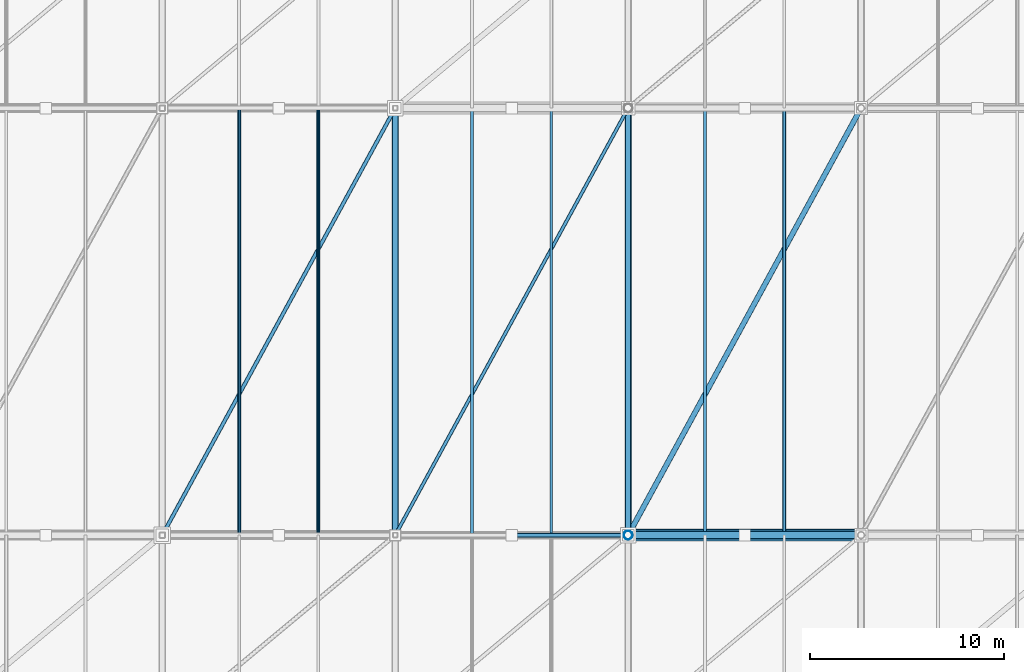
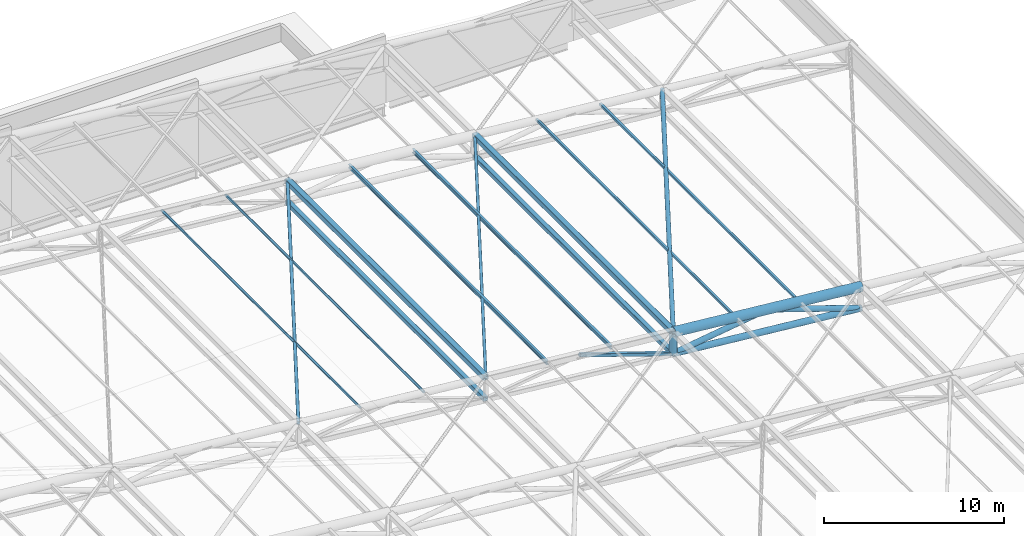
# One storey, part 35 of 44: 19 members.
"""IFC4 building model written with IfcOpenShell, lengths in metres."""

import ifcopenshell
import ifcopenshell.guid

model = None  # the IFC model being written
_history = None  # IfcOwnerHistory: only IFC2X3 demands one
_inside = {}  # id of a spatial element -> (the spatial element, [elements in it])
_under = {}  # id of a project, library or spatial element -> (it, [spatial elements below it])
_declared = {}  # id of a project -> (the project, [libraries it declares])
_typed = {}  # id of a type object -> (the type object, [elements of that type])
_made_of = {}  # id of a material, layer set ... -> (it, [elements and type objects made of it])


def new_model(schema):
    """Start an empty IFC model of exactly this schema.

    Asked for "IFC4X3", IfcOpenShell would pick the latest addendum, in which some entities
    have other attributes; the version numbers below select the first issue.
    IFC2X3 requires an IfcOwnerHistory on every rooted entity: one is made here for all.
    """
    global model, _history
    if schema == "IFC4X3":
        model = ifcopenshell.file(schema_version=(4, 3, 0, 0))
    else:
        model = ifcopenshell.file(schema=schema)
    _inside.clear()
    _under.clear()
    _declared.clear()
    _typed.clear()
    _made_of.clear()
    _history = None
    if model.schema == "IFC2X3":
        org = make("IfcOrganization", Name="unknown")
        user = make(
            "IfcPersonAndOrganization",
            ThePerson=make("IfcPerson", FamilyName="unknown"),
            TheOrganization=org,
        )
        app = make(
            "IfcApplication",
            ApplicationDeveloper=org,
            Version="unknown",
            ApplicationFullName="unknown",
            ApplicationIdentifier="unknown",
        )
        _history = make(
            "IfcOwnerHistory",
            OwningUser=user,
            OwningApplication=app,
            ChangeAction="ADDED",
            CreationDate=0,
        )
    return model


def make(cls, **values):
    """One entity of the class cls with the attributes given. An attribute that is None is left unset."""
    return model.create_entity(
        cls, **{name: value for name, value in values.items() if value is not None}
    )


def rooted(cls, **values):
    """An entity with a GlobalId (a new one), such as an element, a storey or a relation."""
    return make(cls, GlobalId=ifcopenshell.guid.new(), OwnerHistory=_history, **values)


def si_unit(unit_type, name, prefix=None):
    """IfcSIUnit, for example si_unit("LENGTHUNIT", "METRE", prefix="MILLI")."""
    return make("IfcSIUnit", UnitType=unit_type, Prefix=prefix, Name=name)


def assignment(units):
    """IfcUnitAssignment: the units of a project."""
    return None if units is None else make("IfcUnitAssignment", Units=units)


def point(xyz):
    """IfcCartesianPoint."""
    return None if xyz is None else make("IfcCartesianPoint", Coordinates=xyz)


def direction(xyz):
    """IfcDirection."""
    return None if xyz is None else make("IfcDirection", DirectionRatios=xyz)


def frame(location, z_axis=None, x_axis=None):
    """IfcAxis2Placement3D, a coordinate frame: its origin and axes. An axis left out is left unset."""
    return make(
        "IfcAxis2Placement3D",
        Location=point(location),
        Axis=direction(z_axis),
        RefDirection=direction(x_axis),
    )


def frame_2d(location, x_axis=None):
    """IfcAxis2Placement2D, a coordinate frame in the plane: its origin and x axis."""
    return make(
        "IfcAxis2Placement2D", Location=point(location), RefDirection=direction(x_axis)
    )


def origin():
    """The frame at (0, 0, 0) with its axes left unset."""
    return frame((0.0, 0.0, 0.0))


def origin_2d():
    """The frame at (0, 0) in the plane with its x axis left unset."""
    return frame_2d((0.0, 0.0))


def place(relative_to, where):
    """IfcLocalPlacement: puts the frame where relative to a parent placement (None: the world)."""
    return make(
        "IfcLocalPlacement", PlacementRelTo=relative_to, RelativePlacement=where
    )


def context(
    kind, dimensions, precision=None, world=None, true_north=None, identifier=None
):
    """IfcGeometricRepresentationContext, for example the 3D "Model" context."""
    return make(
        "IfcGeometricRepresentationContext",
        ContextIdentifier=identifier,
        ContextType=kind,
        CoordinateSpaceDimension=dimensions,
        Precision=precision,
        WorldCoordinateSystem=world,
        TrueNorth=true_north,
    )


def subcontext(parent, identifier, kind, view, scale=None):
    """IfcGeometricRepresentationSubContext, for example "Body" below "Model"."""
    return make(
        "IfcGeometricRepresentationSubContext",
        ContextIdentifier=identifier,
        ContextType=kind,
        ParentContext=parent,
        TargetScale=scale,
        TargetView=view,
    )


def project(units=None, contexts=None):
    """IfcProject with its units and contexts."""
    return rooted(
        "IfcProject",
        Name="project",
        RepresentationContexts=contexts,
        UnitsInContext=assignment(units),
    )


def spatial(cls, under=None, at=None, **own):
    """A site, building, storey or space (cls), placed at a placement, below another one or the project."""
    s = rooted(cls, ObjectPlacement=at, **own)
    if under is not None:
        _under.setdefault(under.id(), (under, []))[1].append(s)
    return s


def profile(cls, at=None, kind="AREA", **sizes):
    """A parametric profile (cls). Its sizes go by their IFC names, for example OverallWidth=200.0."""
    return make(cls, ProfileType=kind, Position=at, **sizes)


def hollow_rectangle(**sizes):
    """IfcRectangleHollowProfileDef."""
    return profile("IfcRectangleHollowProfileDef", **sizes)


def hollow_circle(**sizes):
    """IfcCircleHollowProfileDef."""
    return profile("IfcCircleHollowProfileDef", **sizes)


def i_section(**sizes):
    """IfcIShapeProfileDef."""
    return profile("IfcIShapeProfileDef", **sizes)


def extrude(swept, where, along, depth):
    """IfcExtrudedAreaSolid: the profile swept, set in the frame where, extruded along a direction by depth."""
    return make(
        "IfcExtrudedAreaSolid",
        SweptArea=swept,
        Position=where,
        ExtrudedDirection=direction(along),
        Depth=depth,
    )


def shape(context_of_items, identifier, shape_type, items):
    """IfcShapeRepresentation: the items that make up one representation, for example the "Body"."""
    return make(
        "IfcShapeRepresentation",
        ContextOfItems=context_of_items,
        RepresentationIdentifier=identifier,
        RepresentationType=shape_type,
        Items=items,
    )


def material(Name=None, Category=None):
    """IfcMaterial."""
    return make("IfcMaterial", Name=Name, Category=Category)


def material_profile(
    of_material, cross_section, Name=None, Category=None, Priority=None
):
    """IfcMaterialProfile: a cross section and its material."""
    return make(
        "IfcMaterialProfile",
        Name=Name,
        Material=of_material,
        Profile=cross_section,
        Priority=Priority,
        Category=Category,
    )


def profile_set(profiles, Name=None, composite=None):
    """IfcMaterialProfileSet."""
    return make(
        "IfcMaterialProfileSet",
        Name=Name,
        MaterialProfiles=profiles,
        CompositeProfile=composite,
    )


def made_of(thing, what):
    """Note that an element or type object is made of a material, layer set ...; save() writes the relation."""
    if what is not None:
        _made_of.setdefault(what.id(), (what, []))[1].append(thing)
    return thing


def type_object(cls, material=None, **own):
    """A type object (cls), such as IfcWallType, which elements share."""
    return made_of(rooted(cls, **own), material)


def element(
    cls,
    number,
    at=None,
    inside=None,
    cuts=None,
    type_object=None,
    material=None,
    context=None,
    identifier="Body",
    shape_type=None,
    held_by="IfcProductDefinitionShape",
    body=None,
    shapes=None,
    **own,
):
    """One element of the class cls, such as IfcWall. Its Tag is "e" and its number.

    at: its placement. inside: the storey or other place that contains it. cuts: it is an
    opening in that element (IfcRelVoidsElement). A single representation is given by context,
    identifier, shape_type and body (its items); several are given by shapes. held_by: the class
    of the entity that holds the representations. save() writes the other relations.
    """
    e = rooted(cls, Tag="e%d" % number, ObjectPlacement=at, **own)
    if body is not None:
        shapes = [shape(context, identifier, shape_type, body)]
    if shapes is not None:
        e.Representation = make(held_by, Representations=shapes)
    if inside is not None:
        _inside.setdefault(inside.id(), (inside, []))[1].append(e)
    if cuts is not None:
        rooted(
            "IfcRelVoidsElement", RelatingBuildingElement=cuts, RelatedOpeningElement=e
        )
    if type_object is not None:
        _typed.setdefault(type_object.id(), (type_object, []))[1].append(e)
    return made_of(e, material)


def aggregate(whole, parts):
    """IfcRelAggregates: a whole, such as a stair, and the parts it consists of."""
    return rooted("IfcRelAggregates", RelatingObject=whole, RelatedObjects=parts)


def save(model, path):
    """Write the relations noted so far, then the file.

    IfcRelAggregates (storeys below a building ...), IfcRelContainedInSpatialStructure (elements
    in a storey), IfcRelDefinesByType, IfcRelAssociatesMaterial and IfcRelDeclares: one each for
    every whole, place, type object, material and project.
    """
    for whole, parts in _under.values():
        aggregate(whole, parts)
    for where, things in _inside.values():
        rooted(
            "IfcRelContainedInSpatialStructure",
            RelatedElements=things,
            RelatingStructure=where,
        )
    for kind, things in _typed.values():
        rooted("IfcRelDefinesByType", RelatedObjects=things, RelatingType=kind)
    for what, things in _made_of.values():
        rooted("IfcRelAssociatesMaterial", RelatedObjects=things, RelatingMaterial=what)
    for by, libraries in _declared.values():
        rooted("IfcRelDeclares", RelatingContext=by, RelatedDefinitions=libraries)
    model.write(path)


model = new_model("IFC4")

# Units and contexts
model_context = context("Model", 3, precision=1e-05, world=origin(), true_north=direction((0.0, 1.0)))
body_context = subcontext(model_context, "Body", "Model", "MODEL_VIEW")
ifc_project = project(units=[si_unit("LENGTHUNIT", "METRE"), si_unit("AREAUNIT", "SQUARE_METRE"), si_unit("VOLUMEUNIT", "CUBIC_METRE"), si_unit("PLANEANGLEUNIT", "RADIAN"), si_unit("MASSUNIT", "GRAM", prefix="KILO")], contexts=[model_context])

# Site, building, storey
site_placement = place(None, origin())
site = spatial("IfcSite", under=ifc_project, at=site_placement, CompositionType="ELEMENT")
building_placement = place(site_placement, origin())
building = spatial("IfcBuilding", under=site, at=building_placement, Name="Brinegate Civic Arena", CompositionType="ELEMENT")
storey_placement = place(building_placement, frame((0.0, 0.0, 29.39990234375)))
storey = spatial("IfcBuildingStorey", under=building, at=storey_placement, Name="RF", CompositionType="ELEMENT", Elevation=29.39990234375)

# Members
ifc_material = material(Name="Steel S355", Category="steel")
ifc_material_profile_1 = material_profile(ifc_material, hollow_circle(Radius=0.083984375, WallThickness=0.008056640625, at=origin_2d()), Name="CHS168X8")
ifc_profile_set_1 = profile_set([ifc_material_profile_1], Name="Steel S355")
member_type_1 = type_object("IfcMemberType", Name="RF-PURLIN-CHS168", PredefinedType="PURLIN", material=ifc_profile_set_1)
for number, where, z_axis, x_axis, name in (
    (1, (111.9599609375, 82.0, 5.710205078125), (0.0, 1.0, 0.0), (-1.0, 0.0, 0.0), "Roof Purlin RFP-101"),
    (2, (116.0400390625, 82.0, 5.3271484375), (0.0, 1.0, 0.0), (-1.0, 0.0, 0.0), "Roof Purlin RFP-102"),
):
    element("IfcMember", number, at=place(storey_placement, frame(where, z_axis=z_axis, x_axis=x_axis)), inside=storey, type_object=member_type_1, Name=name, PredefinedType="PURLIN", context=body_context, shape_type="SweptSolid", body=[
        extrude(hollow_circle(Radius=0.083984375, WallThickness=0.008056640625, at=origin_2d()), origin(), (0.0, 0.0, 1.0), 22.0),
    ])
ifc_material_profile_2 = material_profile(ifc_material, hollow_rectangle(XDim=0.159912109375, YDim=0.159912109375, WallThickness=0.008056640625, InnerFilletRadius=0.008056640625, OuterFilletRadius=0.01611328125, at=origin_2d()), Name="SHS160X8")
ifc_profile_set_2 = profile_set([ifc_material_profile_2], Name="Steel S355")
member_type_2 = type_object("IfcMemberType", Name="RF-PURLIN-SHS160", PredefinedType="PURLIN", material=ifc_profile_set_2)
for number, where, z_axis, x_axis, name in (
    (3, (135.9599609375, 82.0, 3.464111328125), (0.0, 1.0, 0.0), (-1.0, 0.0, 0.0), "Roof Purlin RFP-105"),
    (4, (140.0400390625, 82.0, 3.0810546875), (0.0, 1.0, 0.0), (-1.0, 0.0, 0.0), "Roof Purlin RFP-106"),
):
    element("IfcMember", number, at=place(storey_placement, frame(where, z_axis=z_axis, x_axis=x_axis)), inside=storey, type_object=member_type_2, Name=name, PredefinedType="PURLIN", context=body_context, shape_type="SweptSolid", body=[
        extrude(hollow_rectangle(XDim=0.159912109375, YDim=0.159912109375, WallThickness=0.008056640625, InnerFilletRadius=0.008056640625, OuterFilletRadius=0.01611328125, at=origin_2d()), origin(), (0.0, 0.0, 1.0), 22.0),
    ])
ifc_material_profile_3 = material_profile(ifc_material, i_section(OverallWidth=0.14794921875, OverallDepth=0.26611328125, WebThickness=0.008056640625, FlangeThickness=0.012939453125, FilletRadius=0.011962890625, at=origin_2d()), Name="W250X45")
ifc_profile_set_3 = profile_set([ifc_material_profile_3], Name="Steel S355")
member_type_3 = type_object("IfcMemberType", Name="RF-PURLIN-W250", PredefinedType="PURLIN", material=ifc_profile_set_3)
for number, where, z_axis, x_axis, name in (
    (5, (123.9599609375, 82.0, 4.5361328125), (0.0, 1.0, 0.0), (-1.0, 0.0, 0.0), "Roof Purlin RFP-103"),
    (6, (128.0400390625, 82.0, 4.153076171875), (0.0, 1.0, 0.0), (-1.0, 0.0, 0.0), "Roof Purlin RFP-104"),
):
    element("IfcMember", number, at=place(storey_placement, frame(where, z_axis=z_axis, x_axis=x_axis)), inside=storey, type_object=member_type_3, Name=name, PredefinedType="PURLIN", context=body_context, shape_type="SweptSolid", body=[
        extrude(i_section(OverallWidth=0.14794921875, OverallDepth=0.26611328125, WebThickness=0.008056640625, FlangeThickness=0.012939453125, FilletRadius=0.011962890625, at=origin_2d()), origin(), (0.0, 0.0, 1.0), 22.0),
    ])
ifc_material_profile_4 = material_profile(ifc_material, hollow_circle(Radius=0.136474609375, WallThickness=0.011962890625, at=origin_2d()), Name="CHS273X12")
ifc_profile_set_4 = profile_set([ifc_material_profile_4], Name="Steel S355")
member_type_4 = type_object("IfcMemberType", Name="SF-BRACE-CHS273", PredefinedType="BRACE", material=ifc_profile_set_4)
member_1_placement = place(storey_placement, frame((132.0, 82.0, 3.800048828125), z_axis=(0.478370337109, 0.877012284699, -0.044847219104), x_axis=(-0.877895572914, 0.478852130681, 0.0)))
element("IfcMember", 7, at=member_1_placement, inside=storey, type_object=member_type_4, Name="Roof Plan Diagonal Brace PL-6-8", PredefinedType="BRACE", context=body_context, shape_type="SweptSolid", body=[
    extrude(hollow_circle(Radius=0.136474609375, WallThickness=0.011962890625, at=origin_2d()), origin(), (0.0, 0.0, 1.0), 25.085205078125),
])
ifc_material_profile_5 = material_profile(ifc_material, hollow_circle(Radius=0.177978515625, WallThickness=0.013916015625, at=origin_2d()), Name="CHS356X14")
ifc_profile_set_5 = profile_set([ifc_material_profile_5], Name="Steel S355")
member_type_5 = type_object("IfcMemberType", Name="SF-BRACE-CHS356", PredefinedType="BRACE", material=ifc_profile_set_5)
member_2_placement = place(storey_placement, frame((132.0, 82.0, 2.35009765625), z_axis=(0.989226142737, 0.0, 0.1463954867), x_axis=(0.0, 1.0, 0.0)))
element("IfcMember", 8, at=member_2_placement, inside=storey, type_object=member_type_5, Name="Space Frame Web Brace D1-6-8", PredefinedType="BRACE", context=body_context, shape_type="SweptSolid", body=[
    extrude(hollow_circle(Radius=0.177978515625, WallThickness=0.013916015625, at=origin_2d()), origin(), (0.0, 0.0, 1.0), 6.0654296875),
])
member_3_placement = place(storey_placement, frame((138.0, 82.0, 3.238037109375), z_axis=(0.948068139281, 0.0, -0.318067293635), x_axis=(0.0, 1.0, 0.0)))
element("IfcMember", 9, at=member_3_placement, inside=storey, type_object=member_type_5, Name="Space Frame Web Brace D2-6-8", PredefinedType="BRACE", context=body_context, shape_type="SweptSolid", body=[
    extrude(hollow_circle(Radius=0.177978515625, WallThickness=0.013916015625, at=origin_2d()), origin(), (0.0, 0.0, 1.0), 6.32861328125),
])
ifc_material_profile_6 = material_profile(ifc_material, hollow_rectangle(XDim=0.179931640625, YDim=0.179931640625, WallThickness=0.010009765625, InnerFilletRadius=0.010009765625, OuterFilletRadius=0.02001953125, at=origin_2d()), Name="SHS180X10")
ifc_profile_set_6 = profile_set([ifc_material_profile_6], Name="Steel S355")
member_type_6 = type_object("IfcMemberType", Name="SF-BRACE-SHS180", PredefinedType="BRACE", material=ifc_profile_set_6)
member_4_placement = place(storey_placement, frame((120.0, 82.0, 4.925048828125), z_axis=(0.478370337109, 0.877012284699, -0.044847219104), x_axis=(-0.877895572914, 0.478852130681, 0.0)))
element("IfcMember", 10, at=member_4_placement, inside=storey, type_object=member_type_6, Name="Roof Plan Diagonal Brace PL-6-7", PredefinedType="BRACE", context=body_context, shape_type="SweptSolid", body=[
    extrude(hollow_rectangle(XDim=0.179931640625, YDim=0.179931640625, WallThickness=0.010009765625, InnerFilletRadius=0.010009765625, OuterFilletRadius=0.02001953125, at=origin_2d()), origin(), (0.0, 0.0, 1.0), 25.085205078125),
])
ifc_material_profile_7 = material_profile(ifc_material, hollow_rectangle(XDim=0.199951171875, YDim=0.199951171875, WallThickness=0.010009765625, InnerFilletRadius=0.010009765625, OuterFilletRadius=0.02001953125, at=origin_2d()), Name="SHS200X10")
ifc_profile_set_7 = profile_set([ifc_material_profile_7], Name="Steel S355")
member_type_7 = type_object("IfcMemberType", Name="SF-BRACE-SHS200", PredefinedType="BRACE", material=ifc_profile_set_7)
member_5_placement = place(storey_placement, frame((108.0, 82.0, 6.050048828125), z_axis=(0.478370337109, 0.877012284699, -0.044847219104), x_axis=(-0.877895572914, 0.478852130681, 0.0)))
element("IfcMember", 11, at=member_5_placement, inside=storey, type_object=member_type_7, Name="Roof Plan Diagonal Brace PL-6-6", PredefinedType="BRACE", context=body_context, shape_type="SweptSolid", body=[
    extrude(hollow_rectangle(XDim=0.199951171875, YDim=0.199951171875, WallThickness=0.010009765625, InnerFilletRadius=0.010009765625, OuterFilletRadius=0.02001953125, at=origin_2d()), origin(), (0.0, 0.0, 1.0), 25.085205078125),
])
ifc_material_profile_8 = material_profile(ifc_material, hollow_rectangle(XDim=0.219970703125, YDim=0.219970703125, WallThickness=0.011962890625, InnerFilletRadius=0.011962890625, OuterFilletRadius=0.02392578125, at=origin_2d()), Name="SHS220X12")
ifc_profile_set_8 = profile_set([ifc_material_profile_8], Name="Steel S355")
member_type_8 = type_object("IfcMemberType", Name="SF-BRACE-SHS220", PredefinedType="BRACE", material=ifc_profile_set_8)
member_6_placement = place(storey_placement, frame((126.0, 82.0, 4.363037109375), z_axis=(0.948068139281, 0.0, -0.318067293635), x_axis=(0.0, 1.0, 0.0)))
element("IfcMember", 12, at=member_6_placement, inside=storey, type_object=member_type_8, Name="Space Frame Web Brace D2-6-7", PredefinedType="BRACE", context=body_context, shape_type="SweptSolid", body=[
    extrude(hollow_rectangle(XDim=0.219970703125, YDim=0.219970703125, WallThickness=0.011962890625, InnerFilletRadius=0.011962890625, OuterFilletRadius=0.02392578125, at=origin_2d()), origin(), (0.0, 0.0, 1.0), 6.32861328125),
])
ifc_material_profile_9 = material_profile(ifc_material, hollow_circle(Radius=0.202880859375, WallThickness=0.01611328125, at=origin_2d()), Name="CHS406X16")
ifc_profile_set_9 = profile_set([ifc_material_profile_9], Name="Steel S355")
member_type_9 = type_object("IfcMemberType", Name="SF-CHORD-CHS406", PredefinedType="CHORD", material=ifc_profile_set_9)
member_7_placement = place(storey_placement, frame((132.0, 82.0, 2.35009765625), z_axis=(0.995634226059, 0.0, -0.093340708693), x_axis=(0.0, 1.0, 0.0)))
element("IfcMember", 13, at=member_7_placement, inside=storey, type_object=member_type_9, Name="Space Frame Bottom Chord BX-6-8", PredefinedType="CHORD", context=body_context, shape_type="SweptSolid", body=[
    extrude(hollow_circle(Radius=0.202880859375, WallThickness=0.01611328125, at=origin_2d()), origin(), (0.0, 0.0, 1.0), 12.052734375),
])
ifc_material_profile_10 = material_profile(ifc_material, hollow_circle(Radius=0.304931640625, WallThickness=0.02490234375, at=origin_2d()), Name="CHS610X25")
ifc_profile_set_10 = profile_set([ifc_material_profile_10], Name="Steel S355")
member_type_10 = type_object("IfcMemberType", Name="SF-CHORD-CHS610", PredefinedType="CHORD", material=ifc_profile_set_10)
member_8_placement = place(storey_placement, frame((132.0, 82.0, 3.800048828125), z_axis=(0.995634226059, 0.0, -0.093340708693), x_axis=(0.0, 1.0, 0.0)))
element("IfcMember", 14, at=member_8_placement, inside=storey, type_object=member_type_10, Name="Space Frame Top Chord TX-6-8", PredefinedType="CHORD", context=body_context, shape_type="SweptSolid", body=[
    extrude(hollow_circle(Radius=0.304931640625, WallThickness=0.02490234375, at=origin_2d()), origin(), (0.0, 0.0, 1.0), 12.052734375),
])
ifc_material_profile_11 = material_profile(ifc_material, hollow_rectangle(XDim=0.300048828125, YDim=0.300048828125, WallThickness=0.01611328125, InnerFilletRadius=0.01611328125, OuterFilletRadius=0.031982421875, at=origin_2d()), Name="SHS300X16")
ifc_profile_set_11 = profile_set([ifc_material_profile_11], Name="Steel S355")
member_type_11 = type_object("IfcMemberType", Name="SF-CHORD-SHS300", PredefinedType="CHORD", material=ifc_profile_set_11)
for number, where, z_axis, x_axis, name in (
    (15, (120.0, 82.0, 3.47509765625), (0.0, 1.0, 0.0), (-1.0, 0.0, 0.0), "Space Frame Cross Bottom Chord BY-6-7"),
    (16, (132.0, 82.0, 2.35009765625), (0.0, 1.0, 0.0), (-1.0, 0.0, 0.0), "Space Frame Cross Bottom Chord BY-6-8"),
):
    element("IfcMember", number, at=place(storey_placement, frame(where, z_axis=z_axis, x_axis=x_axis)), inside=storey, type_object=member_type_11, Name=name, PredefinedType="CHORD", context=body_context, shape_type="SweptSolid", body=[
        extrude(hollow_rectangle(XDim=0.300048828125, YDim=0.300048828125, WallThickness=0.01611328125, InnerFilletRadius=0.01611328125, OuterFilletRadius=0.031982421875, at=origin_2d()), origin(), (0.0, 0.0, 1.0), 22.0),
    ])
ifc_material_profile_12 = material_profile(ifc_material, hollow_rectangle(XDim=0.35009765625, YDim=0.35009765625, WallThickness=0.01611328125, InnerFilletRadius=0.01611328125, OuterFilletRadius=0.031982421875, at=origin_2d()), Name="SHS350X16")
ifc_profile_set_12 = profile_set([ifc_material_profile_12], Name="Steel S355")
member_type_12 = type_object("IfcMemberType", Name="SF-CHORD-SHS350", PredefinedType="CHORD", material=ifc_profile_set_12)
for number, where, z_axis, x_axis, name in (
    (17, (120.0, 82.0, 4.925048828125), (0.0, 1.0, 0.0), (-1.0, 0.0, 0.0), "Space Frame Cross Top Chord TY-6-7"),
    (18, (132.0, 82.0, 3.800048828125), (0.0, 1.0, 0.0), (-1.0, 0.0, 0.0), "Space Frame Cross Top Chord TY-6-8"),
):
    element("IfcMember", number, at=place(storey_placement, frame(where, z_axis=z_axis, x_axis=x_axis)), inside=storey, type_object=member_type_12, Name=name, PredefinedType="CHORD", context=body_context, shape_type="SweptSolid", body=[
        extrude(hollow_rectangle(XDim=0.35009765625, YDim=0.35009765625, WallThickness=0.01611328125, InnerFilletRadius=0.01611328125, OuterFilletRadius=0.031982421875, at=origin_2d()), origin(), (0.0, 0.0, 1.0), 22.0),
    ])
ifc_material_profile_13 = material_profile(ifc_material, hollow_circle(Radius=0.228515625, WallThickness=0.01611328125, at=origin_2d()), Name="CHS457X16")
ifc_profile_set_13 = profile_set([ifc_material_profile_13], Name="Steel S355")
member_type_13 = type_object("IfcMemberType", Name="SF-STRUT-CHS457", PredefinedType="STRUT", material=ifc_profile_set_13)
member_9_placement = place(storey_placement, frame((132.0, 82.0, 2.35009765625), z_axis=(0.0, 0.0, 1.0), x_axis=(1.0, 0.0, 0.0)))
element("IfcMember", 19, at=member_9_placement, inside=storey, type_object=member_type_13, Name="Space Frame Vertical Post V-6-8", PredefinedType="STRUT", context=body_context, shape_type="SweptSolid", body=[
    extrude(hollow_circle(Radius=0.228515625, WallThickness=0.01611328125, at=origin_2d()), origin(), (0.0, 0.0, 1.0), 1.449951171875),
])

save(model, "model.ifc")
